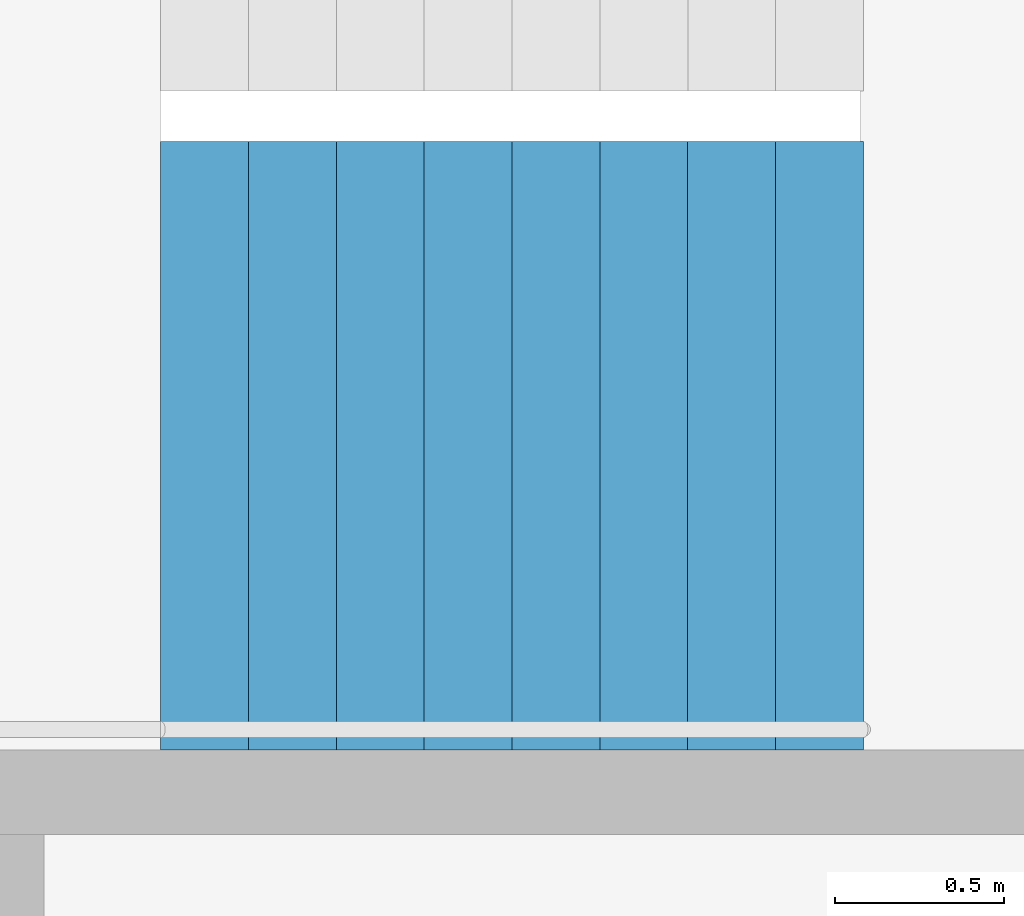
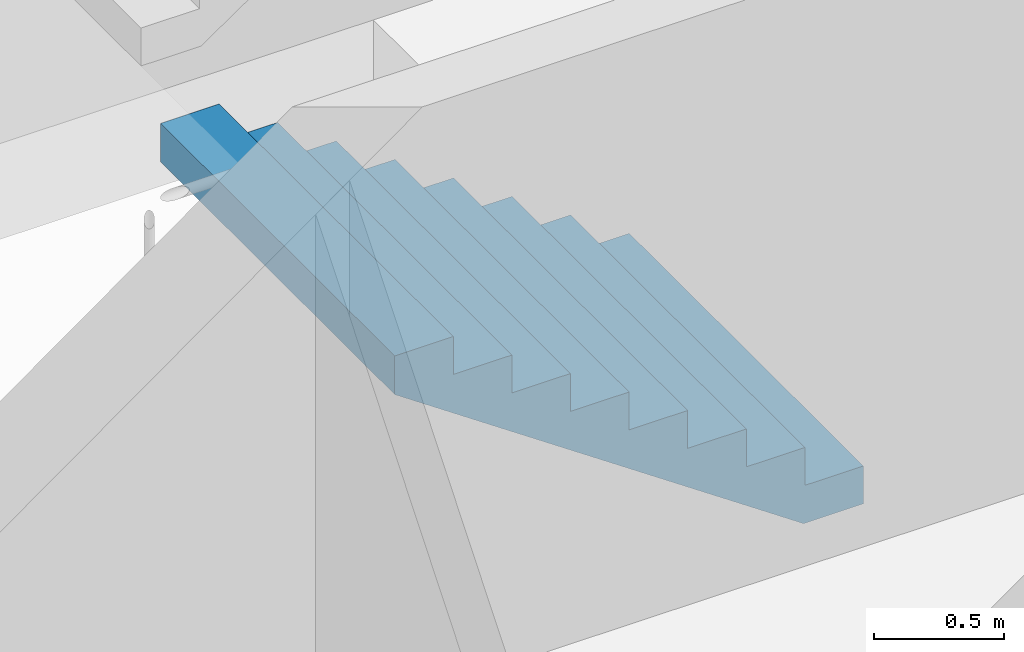
# One storey, part 24 of 26: 1 stair flight, 1 element without a shape of its own.
"""IFC4 building model written with IfcOpenShell, lengths in metres."""

from ifc_helpers import new_model, si_unit, direction, frame, origin, place, context, subcontext, project, spatial, triangles, material, type_object, element, aggregate, save


model = new_model("IFC4")

# Units and contexts
model_context = context("Model", 3, precision=1e-05, world=origin(), true_north=direction((0.0, 1.0)))
body_context = subcontext(model_context, "Body", "Model", "MODEL_VIEW")
ifc_project = project(units=[si_unit("LENGTHUNIT", "METRE"), si_unit("AREAUNIT", "SQUARE_METRE"), si_unit("VOLUMEUNIT", "CUBIC_METRE"), si_unit("PLANEANGLEUNIT", "RADIAN"), si_unit("MASSUNIT", "GRAM", prefix="KILO")], contexts=[model_context])

# Site, building, storey
site_placement = place(None, origin())
site = spatial("IfcSite", under=ifc_project, at=site_placement, CompositionType="ELEMENT")
building_placement = place(site_placement, origin())
building = spatial("IfcBuilding", under=site, at=building_placement, Name="Hakoniwa Tower and Hamabe Station Hall", CompositionType="ELEMENT")
storey_placement = place(building_placement, frame((0.0, 0.0, 212.199951171875)))
storey = spatial("IfcBuildingStorey", under=building, at=storey_placement, Name="L60", CompositionType="ELEMENT", Elevation=212.199951171875)

# Stair, stair flight
ifc_material_1 = material(Name="Concrete C40", Category="concrete")
stair_type = type_object("IfcStairType", Name="ESCAPE STAIR 1800", PredefinedType="HALF_TURN_STAIR", material=ifc_material_1)
stair_placement = place(storey_placement, origin())
stair = element("IfcStair", 1, at=stair_placement, inside=storey, type_object=stair_type, Name="Escape stair ST-3 L60", PredefinedType="HALF_TURN_STAIR")
ifc_material_2 = material(Name="Concrete C40", Category="concrete")
stair_flight_type = type_object("IfcStairFlightType", Name="STAIR FLIGHT 1800", PredefinedType="STRAIGHT", material=ifc_material_2)
stair_flight_placement = place(storey_placement, frame((24.39990234375, 4.64990234375, 0.0), z_axis=(0.0, 0.0, 1.0), x_axis=(-1.0, 0.0, 0.0)))
stair_flight = element("IfcStairFlight", 2, at=stair_flight_placement, type_object=stair_flight_type, Name="ST-3 flight 1", NumberOfRisers=9, NumberOfTreads=8, PredefinedType="STRAIGHT", RiserHeight=0.177777778, TreadLength=0.26, context=body_context, shape_type="Tessellation", body=[
    triangles([(0.0, 0.89990234375, 0.0), (0.260009765625, 0.89990234375, 0.0), (0.265625, 0.89990234375, 0.0), (0.52001953125, 0.89990234375, 0.174072265625), (0.780029296875, 0.89990234375, 0.351806640625), (1.0400390625, 0.89990234375, 0.529541015625), (1.300048828125, 0.89990234375, 0.707275390625), (1.56005859375, 0.89990234375, 0.885009765625), (1.820068359375, 0.89990234375, 1.062744140625), (2.080078125, 0.89990234375, 1.24072265625), (2.080078125, 0.89990234375, 1.422119140625), (1.820068359375, 0.89990234375, 1.422119140625), (1.820068359375, 0.89990234375, 1.244384765625), (1.56005859375, 0.89990234375, 1.244384765625), (1.56005859375, 0.89990234375, 1.066650390625), (1.300048828125, 0.89990234375, 1.066650390625), (1.300048828125, 0.89990234375, 0.888916015625), (1.0400390625, 0.89990234375, 0.888916015625), (1.0400390625, 0.89990234375, 0.711181640625), (0.780029296875, 0.89990234375, 0.711181640625), (0.780029296875, 0.89990234375, 0.533447265625), (0.52001953125, 0.89990234375, 0.533447265625), (0.52001953125, 0.89990234375, 0.35546875), (0.265625, 0.89990234375, 0.35546875), (0.260009765625, 0.89990234375, 0.35546875), (0.260009765625, 0.89990234375, 0.177734375), (0.0, 0.89990234375, 0.177734375), (0.0, 0.06005859375, 0.0), (0.260009765625, 0.06005859375, 0.0), (0.265625, 0.06005859375, 0.0), (0.52001953125, 0.06005859375, 0.174072265625), (0.780029296875, 0.06005859375, 0.351806640625), (1.0400390625, 0.06005859375, 0.529541015625), (1.300048828125, 0.06005859375, 0.707275390625), (1.56005859375, 0.06005859375, 0.885009765625), (1.820068359375, 0.06005859375, 1.062744140625), (2.080078125, 0.06005859375, 1.24072265625), (2.080078125, 0.06005859375, 1.422119140625), (1.820068359375, 0.06005859375, 1.422119140625), (1.820068359375, 0.06005859375, 1.244384765625), (1.56005859375, 0.06005859375, 1.244384765625), (1.56005859375, 0.06005859375, 1.066650390625), (1.300048828125, 0.06005859375, 1.066650390625), (1.300048828125, 0.06005859375, 0.888916015625), (1.0400390625, 0.06005859375, 0.888916015625), (1.0400390625, 0.06005859375, 0.711181640625), (0.780029296875, 0.06005859375, 0.711181640625), (0.780029296875, 0.06005859375, 0.533447265625), (0.52001953125, 0.06005859375, 0.533447265625), (0.52001953125, 0.06005859375, 0.35546875), (0.265625, 0.06005859375, 0.35546875), (0.260009765625, 0.06005859375, 0.35546875), (0.260009765625, 0.06005859375, 0.177734375), (0.0, 0.06005859375, 0.177734375), (0.0, 0.04296875, 0.0), (0.260009765625, 0.04296875, 0.0), (0.265625, 0.04296875, 0.0), (0.52001953125, 0.04296875, 0.174072265625), (0.780029296875, 0.04296875, 0.351806640625), (1.0400390625, 0.04296875, 0.529541015625), (1.300048828125, 0.04296875, 0.707275390625), (1.56005859375, 0.04296875, 0.885009765625), (1.820068359375, 0.04296875, 1.062744140625), (2.080078125, 0.04296875, 1.24072265625), (2.080078125, 0.04296875, 1.422119140625), (1.820068359375, 0.04296875, 1.422119140625), (1.820068359375, 0.04296875, 1.244384765625), (1.56005859375, 0.04296875, 1.244384765625), (1.56005859375, 0.04296875, 1.066650390625), (1.300048828125, 0.04296875, 1.066650390625), (1.300048828125, 0.04296875, 0.888916015625), (1.0400390625, 0.04296875, 0.888916015625), (1.0400390625, 0.04296875, 0.711181640625), (0.780029296875, 0.04296875, 0.711181640625), (0.780029296875, 0.04296875, 0.533447265625), (0.52001953125, 0.04296875, 0.533447265625), (0.52001953125, 0.04296875, 0.35546875), (0.265625, 0.04296875, 0.35546875), (0.260009765625, 0.04296875, 0.35546875), (0.260009765625, 0.04296875, 0.177734375), (0.0, 0.04296875, 0.177734375), (0.0, 0.025634765625, 0.0), (0.260009765625, 0.025634765625, 0.0), (0.265625, 0.025634765625, 0.0), (0.52001953125, 0.025634765625, 0.174072265625), (0.780029296875, 0.025634765625, 0.351806640625), (1.0400390625, 0.025634765625, 0.529541015625), (1.300048828125, 0.025634765625, 0.707275390625), (1.56005859375, 0.025634765625, 0.885009765625), (1.820068359375, 0.025634765625, 1.062744140625), (2.080078125, 0.025634765625, 1.24072265625), (2.080078125, 0.025634765625, 1.422119140625), (1.820068359375, 0.025634765625, 1.422119140625), (1.820068359375, 0.025634765625, 1.244384765625), (1.56005859375, 0.025634765625, 1.244384765625), (1.56005859375, 0.025634765625, 1.066650390625), (1.300048828125, 0.025634765625, 1.066650390625), (1.300048828125, 0.025634765625, 0.888916015625), (1.0400390625, 0.025634765625, 0.888916015625), (1.0400390625, 0.025634765625, 0.711181640625), (0.780029296875, 0.025634765625, 0.711181640625), (0.780029296875, 0.025634765625, 0.533447265625), (0.52001953125, 0.025634765625, 0.533447265625), (0.52001953125, 0.025634765625, 0.35546875), (0.265625, 0.025634765625, 0.35546875), (0.260009765625, 0.025634765625, 0.35546875), (0.260009765625, 0.025634765625, 0.177734375), (0.0, 0.025634765625, 0.177734375), (0.0, 0.008544921875, 0.0), (0.260009765625, 0.008544921875, 0.0), (0.265625, 0.008544921875, 0.0), (0.52001953125, 0.008544921875, 0.174072265625), (0.780029296875, 0.008544921875, 0.351806640625), (1.0400390625, 0.008544921875, 0.529541015625), (1.300048828125, 0.008544921875, 0.707275390625), (1.56005859375, 0.008544921875, 0.885009765625), (1.820068359375, 0.008544921875, 1.062744140625), (2.080078125, 0.008544921875, 1.24072265625), (2.080078125, 0.008544921875, 1.422119140625), (1.820068359375, 0.008544921875, 1.422119140625), (1.820068359375, 0.008544921875, 1.244384765625), (1.56005859375, 0.008544921875, 1.244384765625), (1.56005859375, 0.008544921875, 1.066650390625), (1.300048828125, 0.008544921875, 1.066650390625), (1.300048828125, 0.008544921875, 0.888916015625), (1.0400390625, 0.008544921875, 0.888916015625), (1.0400390625, 0.008544921875, 0.711181640625), (0.780029296875, 0.008544921875, 0.711181640625), (0.780029296875, 0.008544921875, 0.533447265625), (0.52001953125, 0.008544921875, 0.533447265625), (0.52001953125, 0.008544921875, 0.35546875), (0.265625, 0.008544921875, 0.35546875), (0.260009765625, 0.008544921875, 0.35546875), (0.260009765625, 0.008544921875, 0.177734375), (0.0, 0.008544921875, 0.177734375), (0.0, -0.008544921875, 0.0), (0.260009765625, -0.008544921875, 0.0), (0.265625, -0.008544921875, 0.0), (0.52001953125, -0.008544921875, 0.174072265625), (0.780029296875, -0.008544921875, 0.351806640625), (1.0400390625, -0.008544921875, 0.529541015625), (1.300048828125, -0.008544921875, 0.707275390625), (1.56005859375, -0.008544921875, 0.885009765625), (1.820068359375, -0.008544921875, 1.062744140625), (2.080078125, -0.008544921875, 1.24072265625), (2.080078125, -0.008544921875, 1.422119140625), (1.820068359375, -0.008544921875, 1.422119140625), (1.820068359375, -0.008544921875, 1.244384765625), (1.56005859375, -0.008544921875, 1.244384765625), (1.56005859375, -0.008544921875, 1.066650390625), (1.300048828125, -0.008544921875, 1.066650390625), (1.300048828125, -0.008544921875, 0.888916015625), (1.0400390625, -0.008544921875, 0.888916015625), (1.0400390625, -0.008544921875, 0.711181640625), (0.780029296875, -0.008544921875, 0.711181640625), (0.780029296875, -0.008544921875, 0.533447265625), (0.52001953125, -0.008544921875, 0.533447265625), (0.52001953125, -0.008544921875, 0.35546875), (0.265625, -0.008544921875, 0.35546875), (0.260009765625, -0.008544921875, 0.35546875), (0.260009765625, -0.008544921875, 0.177734375), (0.0, -0.008544921875, 0.177734375), (0.0, -0.025634765625, 0.0), (0.260009765625, -0.025634765625, 0.0), (0.265625, -0.025634765625, 0.0), (0.52001953125, -0.025634765625, 0.174072265625), (0.780029296875, -0.025634765625, 0.351806640625), (1.0400390625, -0.025634765625, 0.529541015625), (1.300048828125, -0.025634765625, 0.707275390625), (1.56005859375, -0.025634765625, 0.885009765625), (1.820068359375, -0.025634765625, 1.062744140625), (2.080078125, -0.025634765625, 1.24072265625), (2.080078125, -0.025634765625, 1.422119140625), (1.820068359375, -0.025634765625, 1.422119140625), (1.820068359375, -0.025634765625, 1.244384765625), (1.56005859375, -0.025634765625, 1.244384765625), (1.56005859375, -0.025634765625, 1.066650390625), (1.300048828125, -0.025634765625, 1.066650390625), (1.300048828125, -0.025634765625, 0.888916015625), (1.0400390625, -0.025634765625, 0.888916015625), (1.0400390625, -0.025634765625, 0.711181640625), (0.780029296875, -0.025634765625, 0.711181640625), (0.780029296875, -0.025634765625, 0.533447265625), (0.52001953125, -0.025634765625, 0.533447265625), (0.52001953125, -0.025634765625, 0.35546875), (0.265625, -0.025634765625, 0.35546875), (0.260009765625, -0.025634765625, 0.35546875), (0.260009765625, -0.025634765625, 0.177734375), (0.0, -0.025634765625, 0.177734375), (0.0, -0.04296875, 0.0), (0.260009765625, -0.04296875, 0.0), (0.265625, -0.04296875, 0.0), (0.52001953125, -0.04296875, 0.174072265625), (0.780029296875, -0.04296875, 0.351806640625), (1.0400390625, -0.04296875, 0.529541015625), (1.300048828125, -0.04296875, 0.707275390625), (1.56005859375, -0.04296875, 0.885009765625), (1.820068359375, -0.04296875, 1.062744140625), (2.080078125, -0.04296875, 1.24072265625), (2.080078125, -0.04296875, 1.422119140625), (1.820068359375, -0.04296875, 1.422119140625), (1.820068359375, -0.04296875, 1.244384765625), (1.56005859375, -0.04296875, 1.244384765625), (1.56005859375, -0.04296875, 1.066650390625), (1.300048828125, -0.04296875, 1.066650390625), (1.300048828125, -0.04296875, 0.888916015625), (1.0400390625, -0.04296875, 0.888916015625), (1.0400390625, -0.04296875, 0.711181640625), (0.780029296875, -0.04296875, 0.711181640625), (0.780029296875, -0.04296875, 0.533447265625), (0.52001953125, -0.04296875, 0.533447265625), (0.52001953125, -0.04296875, 0.35546875), (0.265625, -0.04296875, 0.35546875), (0.260009765625, -0.04296875, 0.35546875), (0.260009765625, -0.04296875, 0.177734375), (0.0, -0.04296875, 0.177734375), (0.0, -0.06005859375, 0.0), (0.260009765625, -0.06005859375, 0.0), (0.265625, -0.06005859375, 0.0), (0.52001953125, -0.06005859375, 0.174072265625), (0.780029296875, -0.06005859375, 0.351806640625), (1.0400390625, -0.06005859375, 0.529541015625), (1.300048828125, -0.06005859375, 0.707275390625), (1.56005859375, -0.06005859375, 0.885009765625), (1.820068359375, -0.06005859375, 1.062744140625), (2.080078125, -0.06005859375, 1.24072265625), (2.080078125, -0.06005859375, 1.422119140625), (1.820068359375, -0.06005859375, 1.422119140625), (1.820068359375, -0.06005859375, 1.244384765625), (1.56005859375, -0.06005859375, 1.244384765625), (1.56005859375, -0.06005859375, 1.066650390625), (1.300048828125, -0.06005859375, 1.066650390625), (1.300048828125, -0.06005859375, 0.888916015625), (1.0400390625, -0.06005859375, 0.888916015625), (1.0400390625, -0.06005859375, 0.711181640625), (0.780029296875, -0.06005859375, 0.711181640625), (0.780029296875, -0.06005859375, 0.533447265625), (0.52001953125, -0.06005859375, 0.533447265625), (0.52001953125, -0.06005859375, 0.35546875), (0.265625, -0.06005859375, 0.35546875), (0.260009765625, -0.06005859375, 0.35546875), (0.260009765625, -0.06005859375, 0.177734375), (0.0, -0.06005859375, 0.177734375), (0.0, -0.89990234375, 0.0), (0.260009765625, -0.89990234375, 0.0), (0.265625, -0.89990234375, 0.0), (0.52001953125, -0.89990234375, 0.174072265625), (0.780029296875, -0.89990234375, 0.351806640625), (1.0400390625, -0.89990234375, 0.529541015625), (1.300048828125, -0.89990234375, 0.707275390625), (1.56005859375, -0.89990234375, 0.885009765625), (1.820068359375, -0.89990234375, 1.062744140625), (2.080078125, -0.89990234375, 1.24072265625), (2.080078125, -0.89990234375, 1.422119140625), (1.820068359375, -0.89990234375, 1.422119140625), (1.820068359375, -0.89990234375, 1.244384765625), (1.56005859375, -0.89990234375, 1.244384765625), (1.56005859375, -0.89990234375, 1.066650390625), (1.300048828125, -0.89990234375, 1.066650390625), (1.300048828125, -0.89990234375, 0.888916015625), (1.0400390625, -0.89990234375, 0.888916015625), (1.0400390625, -0.89990234375, 0.711181640625), (0.780029296875, -0.89990234375, 0.711181640625), (0.780029296875, -0.89990234375, 0.533447265625), (0.52001953125, -0.89990234375, 0.533447265625), (0.52001953125, -0.89990234375, 0.35546875), (0.265625, -0.89990234375, 0.35546875), (0.260009765625, -0.89990234375, 0.35546875), (0.260009765625, -0.89990234375, 0.177734375), (0.0, -0.89990234375, 0.177734375)], [[2, 27, 26], [245, 269, 270], [2, 1, 27], [245, 270, 244], [3, 25, 24], [246, 267, 268], [3, 26, 25], [246, 268, 269], [3, 2, 26], [246, 269, 245], [4, 24, 23], [247, 266, 267], [4, 3, 24], [247, 267, 246], [5, 22, 21], [248, 264, 265], [5, 23, 22], [248, 265, 266], [5, 4, 23], [248, 266, 247], [6, 20, 19], [249, 262, 263], [6, 21, 20], [249, 263, 264], [6, 5, 21], [249, 264, 248], [7, 18, 17], [250, 260, 261], [7, 19, 18], [250, 261, 262], [7, 6, 19], [250, 262, 249], [8, 16, 15], [251, 258, 259], [8, 17, 16], [251, 259, 260], [8, 7, 17], [251, 260, 250], [9, 14, 13], [252, 256, 257], [9, 15, 14], [252, 257, 258], [9, 8, 15], [252, 258, 251], [10, 12, 11], [253, 254, 255], [10, 13, 12], [253, 255, 256], [10, 9, 13], [253, 256, 252], [1, 2, 29], [1, 29, 28], [28, 29, 56], [28, 56, 55], [55, 56, 83], [55, 83, 82], [82, 83, 110], [82, 110, 109], [109, 110, 137], [109, 137, 136], [136, 137, 164], [136, 164, 163], [163, 164, 191], [163, 191, 190], [190, 191, 218], [190, 218, 217], [217, 218, 245], [217, 245, 244], [2, 3, 30], [2, 30, 29], [29, 30, 57], [29, 57, 56], [56, 57, 84], [56, 84, 83], [83, 84, 111], [83, 111, 110], [110, 111, 138], [110, 138, 137], [137, 138, 165], [137, 165, 164], [164, 165, 192], [164, 192, 191], [191, 192, 219], [191, 219, 218], [218, 219, 246], [218, 246, 245], [3, 4, 31], [3, 31, 30], [30, 31, 58], [30, 58, 57], [57, 58, 85], [57, 85, 84], [84, 85, 112], [84, 112, 111], [111, 112, 139], [111, 139, 138], [138, 139, 166], [138, 166, 165], [165, 166, 193], [165, 193, 192], [192, 193, 220], [192, 220, 219], [219, 220, 247], [219, 247, 246], [4, 5, 32], [4, 32, 31], [31, 32, 59], [31, 59, 58], [58, 59, 86], [58, 86, 85], [85, 86, 113], [85, 113, 112], [112, 113, 140], [112, 140, 139], [139, 140, 167], [139, 167, 166], [166, 167, 194], [166, 194, 193], [193, 194, 221], [193, 221, 220], [220, 221, 248], [220, 248, 247], [5, 6, 33], [5, 33, 32], [32, 33, 60], [32, 60, 59], [59, 60, 87], [59, 87, 86], [86, 87, 114], [86, 114, 113], [113, 114, 141], [113, 141, 140], [140, 141, 168], [140, 168, 167], [167, 168, 195], [167, 195, 194], [194, 195, 222], [194, 222, 221], [221, 222, 249], [221, 249, 248], [6, 7, 34], [6, 34, 33], [33, 34, 61], [33, 61, 60], [60, 61, 88], [60, 88, 87], [87, 88, 115], [87, 115, 114], [114, 115, 142], [114, 142, 141], [141, 142, 169], [141, 169, 168], [168, 169, 196], [168, 196, 195], [195, 196, 223], [195, 223, 222], [222, 223, 250], [222, 250, 249], [7, 8, 35], [7, 35, 34], [34, 35, 62], [34, 62, 61], [61, 62, 89], [61, 89, 88], [88, 89, 116], [88, 116, 115], [115, 116, 143], [115, 143, 142], [142, 143, 170], [142, 170, 169], [169, 170, 197], [169, 197, 196], [196, 197, 224], [196, 224, 223], [223, 224, 251], [223, 251, 250], [8, 9, 36], [8, 36, 35], [35, 36, 63], [35, 63, 62], [62, 63, 90], [62, 90, 89], [89, 90, 117], [89, 117, 116], [116, 117, 144], [116, 144, 143], [143, 144, 171], [143, 171, 170], [170, 171, 198], [170, 198, 197], [197, 198, 225], [197, 225, 224], [224, 225, 252], [224, 252, 251], [9, 10, 37], [9, 37, 36], [36, 37, 64], [36, 64, 63], [63, 64, 91], [63, 91, 90], [90, 91, 118], [90, 118, 117], [117, 118, 145], [117, 145, 144], [144, 145, 172], [144, 172, 171], [171, 172, 199], [171, 199, 198], [198, 199, 226], [198, 226, 225], [225, 226, 253], [225, 253, 252], [10, 11, 38], [10, 38, 37], [37, 38, 65], [37, 65, 64], [64, 65, 92], [64, 92, 91], [91, 92, 119], [91, 119, 118], [118, 119, 146], [118, 146, 145], [145, 146, 173], [145, 173, 172], [172, 173, 200], [172, 200, 199], [199, 200, 227], [199, 227, 226], [226, 227, 254], [226, 254, 253], [11, 12, 39], [11, 39, 38], [38, 39, 66], [38, 66, 65], [65, 66, 93], [65, 93, 92], [92, 93, 120], [92, 120, 119], [119, 120, 147], [119, 147, 146], [146, 147, 174], [146, 174, 173], [173, 174, 201], [173, 201, 200], [200, 201, 228], [200, 228, 227], [227, 228, 255], [227, 255, 254], [12, 13, 40], [12, 40, 39], [39, 40, 67], [39, 67, 66], [66, 67, 94], [66, 94, 93], [93, 94, 121], [93, 121, 120], [120, 121, 148], [120, 148, 147], [147, 148, 175], [147, 175, 174], [174, 175, 202], [174, 202, 201], [201, 202, 229], [201, 229, 228], [228, 229, 256], [228, 256, 255], [13, 14, 41], [13, 41, 40], [40, 41, 68], [40, 68, 67], [67, 68, 95], [67, 95, 94], [94, 95, 122], [94, 122, 121], [121, 122, 149], [121, 149, 148], [148, 149, 176], [148, 176, 175], [175, 176, 203], [175, 203, 202], [202, 203, 230], [202, 230, 229], [229, 230, 257], [229, 257, 256], [14, 15, 42], [14, 42, 41], [41, 42, 69], [41, 69, 68], [68, 69, 96], [68, 96, 95], [95, 96, 123], [95, 123, 122], [122, 123, 150], [122, 150, 149], [149, 150, 177], [149, 177, 176], [176, 177, 204], [176, 204, 203], [203, 204, 231], [203, 231, 230], [230, 231, 258], [230, 258, 257], [15, 16, 43], [15, 43, 42], [42, 43, 70], [42, 70, 69], [69, 70, 97], [69, 97, 96], [96, 97, 124], [96, 124, 123], [123, 124, 151], [123, 151, 150], [150, 151, 178], [150, 178, 177], [177, 178, 205], [177, 205, 204], [204, 205, 232], [204, 232, 231], [231, 232, 259], [231, 259, 258], [16, 17, 44], [16, 44, 43], [43, 44, 71], [43, 71, 70], [70, 71, 98], [70, 98, 97], [97, 98, 125], [97, 125, 124], [124, 125, 152], [124, 152, 151], [151, 152, 179], [151, 179, 178], [178, 179, 206], [178, 206, 205], [205, 206, 233], [205, 233, 232], [232, 233, 260], [232, 260, 259], [17, 18, 45], [17, 45, 44], [44, 45, 72], [44, 72, 71], [71, 72, 99], [71, 99, 98], [98, 99, 126], [98, 126, 125], [125, 126, 153], [125, 153, 152], [152, 153, 180], [152, 180, 179], [179, 180, 207], [179, 207, 206], [206, 207, 234], [206, 234, 233], [233, 234, 261], [233, 261, 260], [18, 19, 46], [18, 46, 45], [45, 46, 73], [45, 73, 72], [72, 73, 100], [72, 100, 99], [99, 100, 127], [99, 127, 126], [126, 127, 154], [126, 154, 153], [153, 154, 181], [153, 181, 180], [180, 181, 208], [180, 208, 207], [207, 208, 235], [207, 235, 234], [234, 235, 262], [234, 262, 261], [19, 20, 47], [19, 47, 46], [46, 47, 74], [46, 74, 73], [73, 74, 101], [73, 101, 100], [100, 101, 128], [100, 128, 127], [127, 128, 155], [127, 155, 154], [154, 155, 182], [154, 182, 181], [181, 182, 209], [181, 209, 208], [208, 209, 236], [208, 236, 235], [235, 236, 263], [235, 263, 262], [20, 21, 48], [20, 48, 47], [47, 48, 75], [47, 75, 74], [74, 75, 102], [74, 102, 101], [101, 102, 129], [101, 129, 128], [128, 129, 156], [128, 156, 155], [155, 156, 183], [155, 183, 182], [182, 183, 210], [182, 210, 209], [209, 210, 237], [209, 237, 236], [236, 237, 264], [236, 264, 263], [21, 22, 49], [21, 49, 48], [48, 49, 76], [48, 76, 75], [75, 76, 103], [75, 103, 102], [102, 103, 130], [102, 130, 129], [129, 130, 157], [129, 157, 156], [156, 157, 184], [156, 184, 183], [183, 184, 211], [183, 211, 210], [210, 211, 238], [210, 238, 237], [237, 238, 265], [237, 265, 264], [22, 23, 50], [22, 50, 49], [49, 50, 77], [49, 77, 76], [76, 77, 104], [76, 104, 103], [103, 104, 131], [103, 131, 130], [130, 131, 158], [130, 158, 157], [157, 158, 185], [157, 185, 184], [184, 185, 212], [184, 212, 211], [211, 212, 239], [211, 239, 238], [238, 239, 266], [238, 266, 265], [23, 24, 51], [23, 51, 50], [50, 51, 78], [50, 78, 77], [77, 78, 105], [77, 105, 104], [104, 105, 132], [104, 132, 131], [131, 132, 159], [131, 159, 158], [158, 159, 186], [158, 186, 185], [185, 186, 213], [185, 213, 212], [212, 213, 240], [212, 240, 239], [239, 240, 267], [239, 267, 266], [24, 25, 52], [24, 52, 51], [51, 52, 79], [51, 79, 78], [78, 79, 106], [78, 106, 105], [105, 106, 133], [105, 133, 132], [132, 133, 160], [132, 160, 159], [159, 160, 187], [159, 187, 186], [186, 187, 214], [186, 214, 213], [213, 214, 241], [213, 241, 240], [240, 241, 268], [240, 268, 267], [25, 26, 53], [25, 53, 52], [52, 53, 80], [52, 80, 79], [79, 80, 107], [79, 107, 106], [106, 107, 134], [106, 134, 133], [133, 134, 161], [133, 161, 160], [160, 161, 188], [160, 188, 187], [187, 188, 215], [187, 215, 214], [214, 215, 242], [214, 242, 241], [241, 242, 269], [241, 269, 268], [26, 27, 54], [26, 54, 53], [53, 54, 81], [53, 81, 80], [80, 81, 108], [80, 108, 107], [107, 108, 135], [107, 135, 134], [134, 135, 162], [134, 162, 161], [161, 162, 189], [161, 189, 188], [188, 189, 216], [188, 216, 215], [215, 216, 243], [215, 243, 242], [242, 243, 270], [242, 270, 269], [27, 1, 28], [27, 28, 54], [54, 28, 55], [54, 55, 81], [81, 55, 82], [81, 82, 108], [108, 82, 109], [108, 109, 135], [135, 109, 136], [135, 136, 162], [162, 136, 163], [162, 163, 189], [189, 163, 190], [189, 190, 216], [216, 190, 217], [216, 217, 243], [243, 217, 244], [243, 244, 270]], closed=True),
])
aggregate(stair, [stair_flight])

save(model, "model.ifc")
